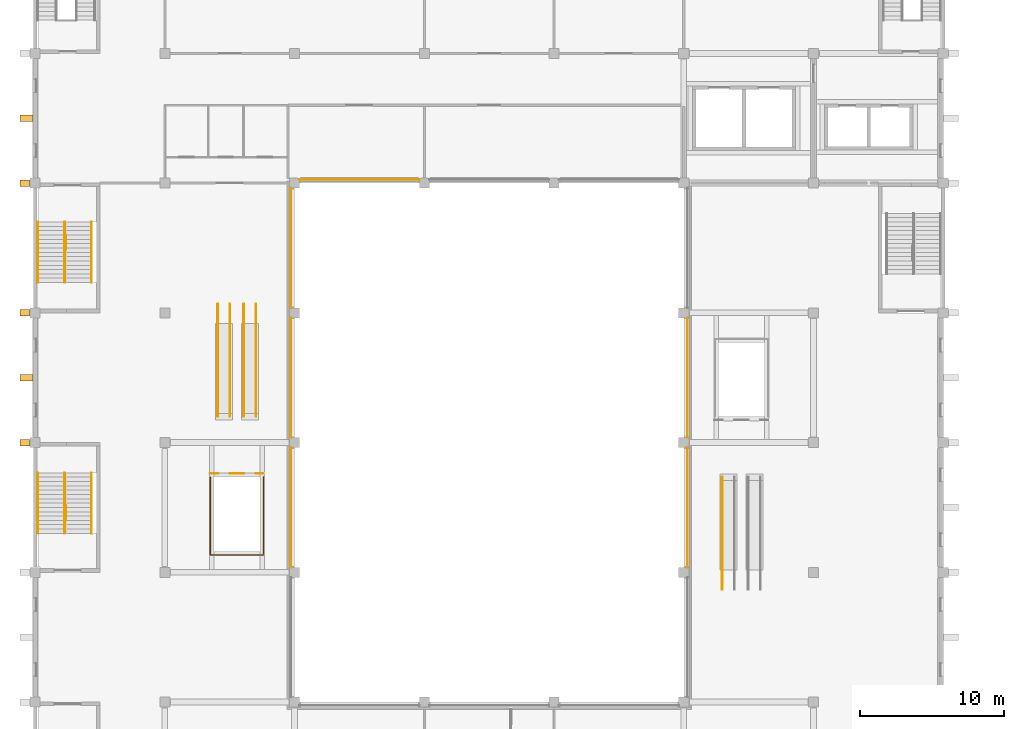
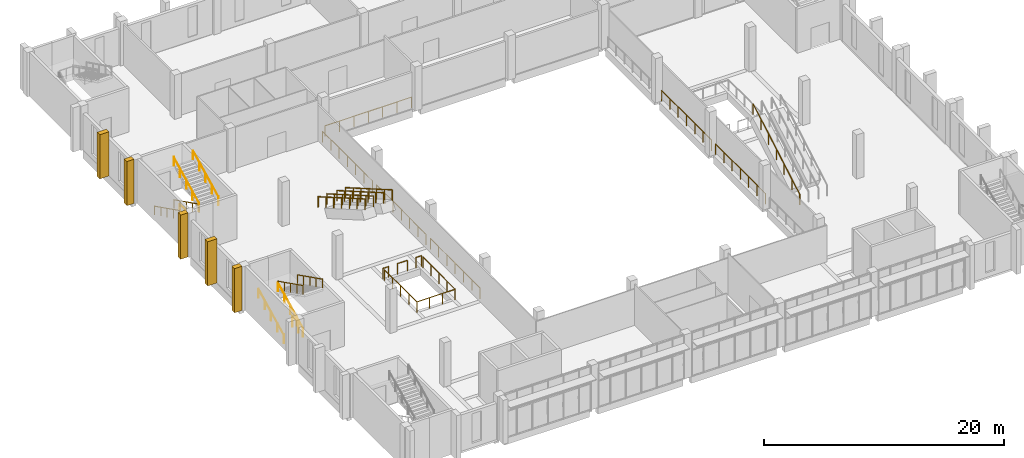
# One storey, part 40 of 45: 25 railings, 5 coverings.
"""IFC4 building model written with IfcOpenShell, lengths in metres."""

from ifc_helpers import new_model, si_unit, direction, frame, origin, origin_2d, place, context, subcontext, project, spatial, rectangle, circle, extrude, material, layer, layer_set, type_object, element, save


model = new_model("IFC4")

# Units and contexts
model_context = context("Model", 3, precision=1e-05, world=origin(), true_north=direction((0.0, 1.0)))
body_context = subcontext(model_context, "Body", "Model", "MODEL_VIEW")
ifc_project = project(units=[si_unit("LENGTHUNIT", "METRE"), si_unit("AREAUNIT", "SQUARE_METRE"), si_unit("VOLUMEUNIT", "CUBIC_METRE"), si_unit("PLANEANGLEUNIT", "RADIAN"), si_unit("MASSUNIT", "GRAM", prefix="KILO")], contexts=[model_context])

# Site, building, storey
site_placement = place(None, origin())
site = spatial("IfcSite", under=ifc_project, at=site_placement, CompositionType="ELEMENT")
building_placement = place(site_placement, origin())
building = spatial("IfcBuilding", under=site, at=building_placement, Name="Guidao Yard Department Store", CompositionType="ELEMENT")
storey_placement = place(building_placement, frame((0.0, 0.0, 19.5)))
storey = spatial("IfcBuildingStorey", under=building, at=storey_placement, Name="L04", CompositionType="ELEMENT", Elevation=19.5)

# Railings
ifc_material_1 = material(Name="Laminated glass", Category="glass")
railing_type_1 = type_object("IfcRailingType", Name="Escalator balustrade glass 1100", PredefinedType="BALUSTRADE", material=ifc_material_1)
for number, where, name in (
    (1, (12.679931640625, 81.60009765625, 0.0), "Escalator EH10 up balustrade"),
    (2, (13.52001953125, 81.60009765625, 0.0), "Escalator EH10 up balustrade"),
    (3, (14.47998046875, 81.60009765625, 0.0), "Escalator EH10 down balustrade"),
    (4, (15.320068359375, 81.60009765625, 0.0), "Escalator EH10 down balustrade"),
):
    element("IfcRailing", number, at=place(storey_placement, frame(where)), inside=storey, type_object=railing_type_1, Name=name, PredefinedType="BALUSTRADE", context=body_context, shape_type="SweptSolid", body=[
        extrude(circle(Radius=0.030029296875, at=origin_2d()), frame((0.0, 0.0, 1.070068359375), z_axis=(0.0, -0.866024315419, 0.5000018851), x_axis=(1.0, 0.0, 0.0)), (0.0, 0.0, 1.0), 9.0),
        extrude(circle(Radius=0.02490234375, at=origin_2d()), origin(), (0.0, 0.0, 1.0), 1.0400390625),
        extrude(circle(Radius=0.02490234375, at=origin_2d()), frame((0.0, -1.299072265625, 0.75)), (0.0, 0.0, 1.0), 1.0400390625),
        extrude(circle(Radius=0.02490234375, at=origin_2d()), frame((0.0, -2.59814453125, 1.5)), (0.0, 0.0, 1.0), 1.0400390625),
        extrude(circle(Radius=0.02490234375, at=origin_2d()), frame((0.0, -3.89697265625, 2.25)), (0.0, 0.0, 1.0), 1.0400390625),
        extrude(circle(Radius=0.02490234375, at=origin_2d()), frame((0.0, -5.196044921875, 3.0)), (0.0, 0.0, 1.0), 1.0400390625),
        extrude(circle(Radius=0.02490234375, at=origin_2d()), frame((0.0, -6.4951171875, 3.75)), (0.0, 0.0, 1.0), 1.0400390625),
        extrude(circle(Radius=0.02490234375, at=origin_2d()), frame((0.0, -7.794189453125, 4.5)), (0.0, 0.0, 1.0), 1.0400390625),
    ])
railing_1_placement = place(storey_placement, frame((47.679931640625, 61.800048828125, 0.0)))
element("IfcRailing", 5, at=railing_1_placement, inside=storey, type_object=railing_type_1, Name="Escalator EH9 up balustrade", PredefinedType="BALUSTRADE", context=body_context, shape_type="SweptSolid", body=[
    extrude(circle(Radius=0.030029296875, at=origin_2d()), frame((0.0, 0.0, 1.070068359375), z_axis=(0.0, 0.866017533419, 0.500013631625), x_axis=(-1.0, 0.0, 0.0)), (0.0, 0.0, 1.0), 8.999755859375),
    extrude(circle(Radius=0.02490234375, at=origin_2d()), origin(), (0.0, 0.0, 1.0), 1.0400390625),
    extrude(circle(Radius=0.02490234375, at=origin_2d()), frame((0.0, 1.299072265625, 0.75)), (0.0, 0.0, 1.0), 1.0400390625),
    extrude(circle(Radius=0.02490234375, at=origin_2d()), frame((0.0, 2.597900390625, 1.5)), (0.0, 0.0, 1.0), 1.0400390625),
    extrude(circle(Radius=0.02490234375, at=origin_2d()), frame((0.0, 3.89697265625, 2.25)), (0.0, 0.0, 1.0), 1.0400390625),
    extrude(circle(Radius=0.02490234375, at=origin_2d()), frame((0.0, 5.196044921875, 3.0)), (0.0, 0.0, 1.0), 1.0400390625),
    extrude(circle(Radius=0.02490234375, at=origin_2d()), frame((0.0, 6.494873046875, 3.75)), (0.0, 0.0, 1.0), 1.0400390625),
    extrude(circle(Radius=0.02490234375, at=origin_2d()), frame((0.0, 7.7939453125, 4.5)), (0.0, 0.0, 1.0), 1.0400390625),
])
ifc_material_2 = material(Name="Steel Q235", Category="steel")
railing_type_2 = type_object("IfcRailingType", Name="Guard steel balustrade 1100", PredefinedType="GUARDRAIL", material=ifc_material_2)
railing_2_placement = place(storey_placement, frame((2.125, 66.6298828125, 0.0)))
element("IfcRailing", 6, at=railing_2_placement, inside=storey, type_object=railing_type_2, Name="Stair A1 guard L04 1", PredefinedType="GUARDRAIL", context=body_context, shape_type="SweptSolid", body=[
    extrude(circle(Radius=0.02392578125, at=origin_2d()), frame((0.0, 0.0, 1.076171875), z_axis=(0.0, 1.0, 0.0), x_axis=(-1.0, 0.0, 0.0)), (0.0, 0.0, 1.0), 1.0),
    extrude(circle(Radius=0.02099609375, at=origin_2d()), origin(), (0.0, 0.0, 1.0), 1.052001953125),
    extrude(circle(Radius=0.02099609375, at=origin_2d()), frame((0.0, 1.0, 0.0)), (0.0, 0.0, 1.0), 1.052001953125),
])
railing_3_placement = place(storey_placement, frame((2.125, 86.3701171875, 0.0)))
element("IfcRailing", 7, at=railing_3_placement, inside=storey, type_object=railing_type_2, Name="Stair A3 guard L04 3", PredefinedType="GUARDRAIL", context=body_context, shape_type="SweptSolid", body=[
    extrude(circle(Radius=0.02392578125, at=origin_2d()), frame((0.0, 0.0, 1.076171875), z_axis=(0.0, -1.0, 0.0), x_axis=(1.0, 0.0, 0.0)), (0.0, 0.0, 1.0), 1.0),
    extrude(circle(Radius=0.02099609375, at=origin_2d()), origin(), (0.0, 0.0, 1.0), 1.052001953125),
    extrude(circle(Radius=0.02099609375, at=origin_2d()), frame((0.0, -1.0, 0.0)), (0.0, 0.0, 1.0), 1.052001953125),
])
railing_4_placement = place(storey_placement, frame((12.14990234375, 69.843994140625, 0.0)))
element("IfcRailing", 8, at=railing_4_placement, inside=storey, type_object=railing_type_2, Name="Guard escalator EH7 arrival 1", PredefinedType="GUARDRAIL", context=body_context, shape_type="SweptSolid", body=[
    extrude(circle(Radius=0.02392578125, at=origin_2d()), frame((0.0, 0.0, 1.076171875), z_axis=(1.0, 0.0, 0.0), x_axis=(0.0, 1.0, 0.0)), (0.0, 0.0, 1.0), 0.530029296875),
    extrude(circle(Radius=0.02099609375, at=origin_2d()), origin(), (0.0, 0.0, 1.0), 1.052001953125),
    extrude(circle(Radius=0.02099609375, at=origin_2d()), frame((0.530029296875, 0.0, 0.0)), (0.0, 0.0, 1.0), 1.052001953125),
])
railing_5_placement = place(storey_placement, frame((13.52001953125, 69.843994140625, 0.0)))
element("IfcRailing", 9, at=railing_5_placement, inside=storey, type_object=railing_type_2, Name="Guard escalator EH7 arrival 2", PredefinedType="GUARDRAIL", context=body_context, shape_type="SweptSolid", body=[
    extrude(circle(Radius=0.02392578125, at=origin_2d()), frame((0.0, 0.0, 1.076171875), z_axis=(1.0, 0.0, 0.0), x_axis=(0.0, 1.0, 0.0)), (0.0, 0.0, 1.0), 0.9599609375),
    extrude(circle(Radius=0.02099609375, at=origin_2d()), origin(), (0.0, 0.0, 1.0), 1.052001953125),
    extrude(circle(Radius=0.02099609375, at=origin_2d()), frame((0.9599609375, 0.0, 0.0)), (0.0, 0.0, 1.0), 1.052001953125),
])
railing_6_placement = place(storey_placement, frame((15.320068359375, 69.843994140625, 0.0)))
element("IfcRailing", 10, at=railing_6_placement, inside=storey, type_object=railing_type_2, Name="Guard escalator EH7 arrival 3", PredefinedType="GUARDRAIL", context=body_context, shape_type="SweptSolid", body=[
    extrude(circle(Radius=0.02392578125, at=origin_2d()), frame((0.0, 0.0, 1.076171875), z_axis=(1.0, 0.0, 0.0), x_axis=(0.0, 1.0, 0.0)), (0.0, 0.0, 1.0), 0.530029296875),
    extrude(circle(Radius=0.02099609375, at=origin_2d()), origin(), (0.0, 0.0, 1.0), 1.052001953125),
    extrude(circle(Radius=0.02099609375, at=origin_2d()), frame((0.530029296875, 0.0, 0.0)), (0.0, 0.0, 1.0), 1.052001953125),
])
for number, where, name in (
    (11, (45.25, 63.35009765625, 0.0), "Guard atrium E L04"),
    (12, (45.25, 72.35009765625, 0.0), "Guard atrium E L04"),
):
    element("IfcRailing", number, at=place(storey_placement, frame(where)), inside=storey, type_object=railing_type_2, Name=name, PredefinedType="GUARDRAIL", context=body_context, shape_type="SweptSolid", body=[
        extrude(circle(Radius=0.02392578125, at=origin_2d()), frame((0.0, 0.0, 1.076171875), z_axis=(0.0, 1.0, 0.0), x_axis=(-1.0, 0.0, 0.0)), (0.0, 0.0, 1.0), 8.2998046875),
        extrude(circle(Radius=0.02099609375, at=origin_2d()), origin(), (0.0, 0.0, 1.0), 1.052001953125),
        extrude(circle(Radius=0.02099609375, at=origin_2d()), frame((0.0, 1.38330078125, 0.0)), (0.0, 0.0, 1.0), 1.052001953125),
        extrude(circle(Radius=0.02099609375, at=origin_2d()), frame((0.0, 2.7666015625, 0.0)), (0.0, 0.0, 1.0), 1.052001953125),
        extrude(circle(Radius=0.02099609375, at=origin_2d()), frame((0.0, 4.14990234375, 0.0)), (0.0, 0.0, 1.0), 1.052001953125),
        extrude(circle(Radius=0.02099609375, at=origin_2d()), frame((0.0, 5.533203125, 0.0)), (0.0, 0.0, 1.0), 1.052001953125),
        extrude(circle(Radius=0.02099609375, at=origin_2d()), frame((0.0, 6.91650390625, 0.0)), (0.0, 0.0, 1.0), 1.052001953125),
        extrude(circle(Radius=0.02099609375, at=origin_2d()), frame((0.0, 8.2998046875, 0.0)), (0.0, 0.0, 1.0), 1.052001953125),
    ])
railing_7_placement = place(storey_placement, frame((26.64990234375, 90.25, 0.0)))
element("IfcRailing", 13, at=railing_7_placement, inside=storey, type_object=railing_type_2, Name="Guard atrium N L04", PredefinedType="GUARDRAIL", context=body_context, shape_type="SweptSolid", body=[
    extrude(circle(Radius=0.02392578125, at=origin_2d()), frame((0.0, 0.0, 1.076171875), z_axis=(-1.0, 0.0, 0.0), x_axis=(0.0, -1.0, 0.0)), (0.0, 0.0, 1.0), 8.2998046875),
    extrude(circle(Radius=0.02099609375, at=origin_2d()), origin(), (0.0, 0.0, 1.0), 1.052001953125),
    extrude(circle(Radius=0.02099609375, at=origin_2d()), frame((-1.38330078125, 0.0, 0.0)), (0.0, 0.0, 1.0), 1.052001953125),
    extrude(circle(Radius=0.02099609375, at=origin_2d()), frame((-2.7666015625, 0.0, 0.0)), (0.0, 0.0, 1.0), 1.052001953125),
    extrude(circle(Radius=0.02099609375, at=origin_2d()), frame((-4.14990234375, 0.0, 0.0)), (0.0, 0.0, 1.0), 1.052001953125),
    extrude(circle(Radius=0.02099609375, at=origin_2d()), frame((-5.533203125, 0.0, 0.0)), (0.0, 0.0, 1.0), 1.052001953125),
    extrude(circle(Radius=0.02099609375, at=origin_2d()), frame((-6.91650390625, 0.0, 0.0)), (0.0, 0.0, 1.0), 1.052001953125),
    extrude(circle(Radius=0.02099609375, at=origin_2d()), frame((-8.2998046875, 0.0, 0.0)), (0.0, 0.0, 1.0), 1.052001953125),
])
for number, where, name in (
    (14, (17.75, 89.64990234375, 0.0), "Guard atrium W L04"),
    (15, (17.75, 80.64990234375, 0.0), "Guard atrium W L04"),
    (16, (17.75, 71.64990234375, 0.0), "Guard atrium W L04"),
):
    element("IfcRailing", number, at=place(storey_placement, frame(where)), inside=storey, type_object=railing_type_2, Name=name, PredefinedType="GUARDRAIL", context=body_context, shape_type="SweptSolid", body=[
        extrude(circle(Radius=0.02392578125, at=origin_2d()), frame((0.0, 0.0, 1.076171875), z_axis=(0.0, -1.0, 0.0), x_axis=(1.0, 0.0, 0.0)), (0.0, 0.0, 1.0), 8.2998046875),
        extrude(circle(Radius=0.02099609375, at=origin_2d()), origin(), (0.0, 0.0, 1.0), 1.052001953125),
        extrude(circle(Radius=0.02099609375, at=origin_2d()), frame((0.0, -1.38330078125, 0.0)), (0.0, 0.0, 1.0), 1.052001953125),
        extrude(circle(Radius=0.02099609375, at=origin_2d()), frame((0.0, -2.7666015625, 0.0)), (0.0, 0.0, 1.0), 1.052001953125),
        extrude(circle(Radius=0.02099609375, at=origin_2d()), frame((0.0, -4.14990234375, 0.0)), (0.0, 0.0, 1.0), 1.052001953125),
        extrude(circle(Radius=0.02099609375, at=origin_2d()), frame((0.0, -5.533203125, 0.0)), (0.0, 0.0, 1.0), 1.052001953125),
        extrude(circle(Radius=0.02099609375, at=origin_2d()), frame((0.0, -6.91650390625, 0.0)), (0.0, 0.0, 1.0), 1.052001953125),
        extrude(circle(Radius=0.02099609375, at=origin_2d()), frame((0.0, -8.2998046875, 0.0)), (0.0, 0.0, 1.0), 1.052001953125),
    ])
railing_8_placement = place(storey_placement, frame((15.85009765625, 69.593994140625, 0.0)))
element("IfcRailing", 17, at=railing_8_placement, inside=storey, type_object=railing_type_2, Name="Guard well EH7 L04", PredefinedType="GUARDRAIL", context=body_context, shape_type="SweptSolid", body=[
    extrude(circle(Radius=0.02392578125, at=origin_2d()), frame((0.0, 0.0, 1.076171875), z_axis=(0.0, -1.0, 0.0), x_axis=(1.0, 0.0, 0.0)), (0.0, 0.0, 1.0), 5.387939453125),
    extrude(circle(Radius=0.02392578125, at=origin_2d()), frame((0.0, -5.387939453125, 1.076171875), z_axis=(-1.0, 0.0, 0.0), x_axis=(0.0, -1.0, 0.0)), (0.0, 0.0, 1.0), 3.7001953125),
    extrude(circle(Radius=0.02392578125, at=origin_2d()), frame((-3.7001953125, -5.387939453125, 1.076171875), z_axis=(0.0, 1.0, 0.0), x_axis=(-1.0, 0.0, 0.0)), (0.0, 0.0, 1.0), 5.387939453125),
    extrude(circle(Radius=0.02099609375, at=origin_2d()), origin(), (0.0, 0.0, 1.0), 1.052001953125),
    extrude(circle(Radius=0.02099609375, at=origin_2d()), frame((0.0, -1.346923828125, 0.0)), (0.0, 0.0, 1.0), 1.052001953125),
    extrude(circle(Radius=0.02099609375, at=origin_2d()), frame((0.0, -2.69384765625, 0.0)), (0.0, 0.0, 1.0), 1.052001953125),
    extrude(circle(Radius=0.02099609375, at=origin_2d()), frame((0.0, -4.041015625, 0.0)), (0.0, 0.0, 1.0), 1.052001953125),
    extrude(circle(Radius=0.02099609375, at=origin_2d()), frame((0.0, -5.387939453125, 0.0)), (0.0, 0.0, 1.0), 1.052001953125),
    extrude(circle(Radius=0.02099609375, at=origin_2d()), frame((-1.2333984375, -5.387939453125, 0.0)), (0.0, 0.0, 1.0), 1.052001953125),
    extrude(circle(Radius=0.02099609375, at=origin_2d()), frame((-2.466796875, -5.387939453125, 0.0)), (0.0, 0.0, 1.0), 1.052001953125),
    extrude(circle(Radius=0.02099609375, at=origin_2d()), frame((-3.7001953125, -5.387939453125, 0.0)), (0.0, 0.0, 1.0), 1.052001953125),
    extrude(circle(Radius=0.02099609375, at=origin_2d()), frame((-3.7001953125, -4.041015625, 0.0)), (0.0, 0.0, 1.0), 1.052001953125),
    extrude(circle(Radius=0.02099609375, at=origin_2d()), frame((-3.7001953125, -2.69384765625, 0.0)), (0.0, 0.0, 1.0), 1.052001953125),
    extrude(circle(Radius=0.02099609375, at=origin_2d()), frame((-3.7001953125, -1.346923828125, 0.0)), (0.0, 0.0, 1.0), 1.052001953125),
    extrude(circle(Radius=0.02099609375, at=origin_2d()), frame((-3.7001953125, 0.0, 0.0)), (0.0, 0.0, 1.0), 1.052001953125),
])
ifc_material_3 = material(Name="Steel Q235", Category="steel")
railing_type_3 = type_object("IfcRailingType", Name="Handrail steel tube 48", PredefinedType="HANDRAIL", material=ifc_material_3)
for number, where, name in (
    (18, (0.18505859375, 65.699951171875, 0.14990234375), "Stair A1 hand rail L04 1"),
    (19, (2.050048828125, 65.699951171875, 0.14990234375), "Stair A1 hand rail L04 2"),
):
    element("IfcRailing", number, at=place(storey_placement, frame(where)), inside=storey, type_object=railing_type_3, Name=name, PredefinedType="HANDRAIL", context=body_context, shape_type="SweptSolid", body=[
        extrude(circle(Radius=0.02392578125, at=origin_2d()), frame((0.0, 0.0, 0.8759765625), z_axis=(0.0, 0.894416792377, 0.447234392142), x_axis=(-1.0, 0.0, 0.0)), (0.0, 0.0, 1.0), 4.69580078125),
        extrude(circle(Radius=0.02099609375, at=origin_2d()), origin(), (0.0, 0.0, 1.0), 0.851806640625),
        extrude(circle(Radius=0.02099609375, at=origin_2d()), frame((0.0, 1.050048828125, 0.52490234375)), (0.0, 0.0, 1.0), 0.851806640625),
        extrude(circle(Radius=0.02099609375, at=origin_2d()), frame((0.0, 2.10009765625, 1.050048828125)), (0.0, 0.0, 1.0), 0.851806640625),
        extrude(circle(Radius=0.02099609375, at=origin_2d()), frame((0.0, 3.14990234375, 1.5751953125)), (0.0, 0.0, 1.0), 0.851806640625),
        extrude(circle(Radius=0.02099609375, at=origin_2d()), frame((0.0, 4.199951171875, 2.10009765625)), (0.0, 0.0, 1.0), 0.851806640625),
    ])
for number, where, name in (
    (20, (3.9150390625, 69.89990234375, 2.39990234375), "Stair A1 hand rail L04 3"),
    (21, (2.050048828125, 69.89990234375, 2.39990234375), "Stair A1 hand rail L04 4"),
    (22, (0.18505859375, 87.300048828125, 0.14990234375), "Stair A3 hand rail L04 9"),
    (23, (2.050048828125, 87.300048828125, 0.14990234375), "Stair A3 hand rail L04 10"),
):
    element("IfcRailing", number, at=place(storey_placement, frame(where)), inside=storey, type_object=railing_type_3, Name=name, PredefinedType="HANDRAIL", context=body_context, shape_type="SweptSolid", body=[
        extrude(circle(Radius=0.02392578125, at=origin_2d()), frame((0.0, 0.0, 0.8759765625), z_axis=(0.0, -0.894416792377, 0.447234392142), x_axis=(1.0, 0.0, 0.0)), (0.0, 0.0, 1.0), 4.69580078125),
        extrude(circle(Radius=0.02099609375, at=origin_2d()), origin(), (0.0, 0.0, 1.0), 0.851806640625),
        extrude(circle(Radius=0.02099609375, at=origin_2d()), frame((0.0, -1.050048828125, 0.52490234375)), (0.0, 0.0, 1.0), 0.851806640625),
        extrude(circle(Radius=0.02099609375, at=origin_2d()), frame((0.0, -2.10009765625, 1.050048828125)), (0.0, 0.0, 1.0), 0.851806640625),
        extrude(circle(Radius=0.02099609375, at=origin_2d()), frame((0.0, -3.14990234375, 1.5751953125)), (0.0, 0.0, 1.0), 0.851806640625),
        extrude(circle(Radius=0.02099609375, at=origin_2d()), frame((0.0, -4.199951171875, 2.10009765625)), (0.0, 0.0, 1.0), 0.851806640625),
    ])
for number, where, name in (
    (24, (3.9150390625, 83.10009765625, 2.39990234375), "Stair A3 hand rail L04 11"),
    (25, (2.050048828125, 83.10009765625, 2.39990234375), "Stair A3 hand rail L04 12"),
):
    element("IfcRailing", number, at=place(storey_placement, frame(where)), inside=storey, type_object=railing_type_3, Name=name, PredefinedType="HANDRAIL", context=body_context, shape_type="SweptSolid", body=[
        extrude(circle(Radius=0.02392578125, at=origin_2d()), frame((0.0, 0.0, 0.8759765625), z_axis=(0.0, 0.894416792377, 0.447234392142), x_axis=(-1.0, 0.0, 0.0)), (0.0, 0.0, 1.0), 4.69580078125),
        extrude(circle(Radius=0.02099609375, at=origin_2d()), origin(), (0.0, 0.0, 1.0), 0.851806640625),
        extrude(circle(Radius=0.02099609375, at=origin_2d()), frame((0.0, 1.050048828125, 0.52490234375)), (0.0, 0.0, 1.0), 0.851806640625),
        extrude(circle(Radius=0.02099609375, at=origin_2d()), frame((0.0, 2.10009765625, 1.050048828125)), (0.0, 0.0, 1.0), 0.851806640625),
        extrude(circle(Radius=0.02099609375, at=origin_2d()), frame((0.0, 3.14990234375, 1.5751953125)), (0.0, 0.0, 1.0), 0.851806640625),
        extrude(circle(Radius=0.02099609375, at=origin_2d()), frame((0.0, 4.199951171875, 2.10009765625)), (0.0, 0.0, 1.0), 0.851806640625),
    ])

# Coverings
ifc_material_4 = material(Name="Precast concrete C40/50", Category="concrete")
ifc_layer = layer(ifc_material_4, 0.449951171875)
ifc_layer_set = layer_set([ifc_layer], Name="Precast fin FN1 board-formed concrete")
covering_type = type_object("IfcCoveringType", Name="Precast fin FN1 board-formed concrete", PredefinedType="CLADDING", material=ifc_layer_set)
covering_1_placement = place(storey_placement, frame((-0.699951171875, 72.0, 0.0), z_axis=(0.0, 0.0, 1.0), x_axis=(0.0, 1.0, 0.0)))
element("IfcCovering", 26, at=covering_1_placement, inside=storey, type_object=covering_type, Name="Precast fin", PredefinedType="CLADDING", context=body_context, shape_type="SweptSolid", body=[
    extrude(rectangle(XDim=0.449951171875, YDim=0.699951171875, at=origin_2d()), origin(), (0.0, 0.0, 1.0), 4.5),
])
covering_2_placement = place(storey_placement, frame((-0.60009765625, 76.5, 0.0), z_axis=(0.0, 0.0, 1.0), x_axis=(0.0, 1.0, 0.0)))
element("IfcCovering", 27, at=covering_2_placement, inside=storey, type_object=covering_type, Name="Precast fin", PredefinedType="CLADDING", context=body_context, shape_type="SweptSolid", body=[
    extrude(rectangle(XDim=0.449951171875, YDim=0.89990234375, at=origin_2d()), origin(), (0.0, 0.0, 1.0), 4.5),
])
for number, where, z_axis, x_axis, name in (
    (28, (-0.699951171875, 81.0, 0.0), (0.0, 0.0, 1.0), (0.0, 1.0, 0.0), "Precast fin"),
    (29, (-0.699951171875, 90.0, 0.0), (0.0, 0.0, 1.0), (0.0, 1.0, 0.0), "Precast fin"),
):
    element("IfcCovering", number, at=place(storey_placement, frame(where, z_axis=z_axis, x_axis=x_axis)), inside=storey, type_object=covering_type, Name=name, PredefinedType="CLADDING", context=body_context, shape_type="SweptSolid", body=[
        extrude(rectangle(XDim=0.449951171875, YDim=0.699951171875, at=origin_2d()), origin(), (0.0, 0.0, 1.0), 4.5),
    ])
covering_3_placement = place(storey_placement, frame((-0.60009765625, 94.5, 0.0), z_axis=(0.0, 0.0, 1.0), x_axis=(0.0, 1.0, 0.0)))
element("IfcCovering", 30, at=covering_3_placement, inside=storey, type_object=covering_type, Name="Precast fin", PredefinedType="CLADDING", context=body_context, shape_type="SweptSolid", body=[
    extrude(rectangle(XDim=0.449951171875, YDim=0.89990234375, at=origin_2d()), origin(), (0.0, 0.0, 1.0), 4.5),
])

save(model, "model.ifc")
